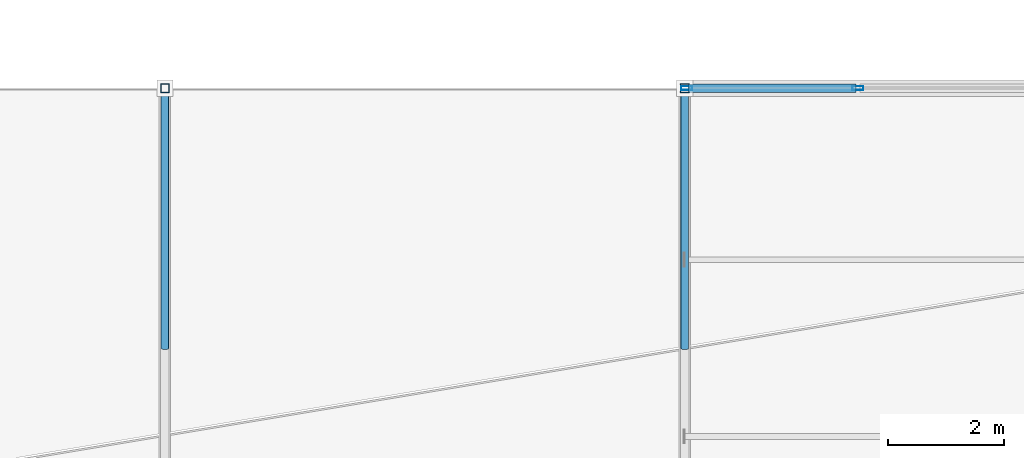
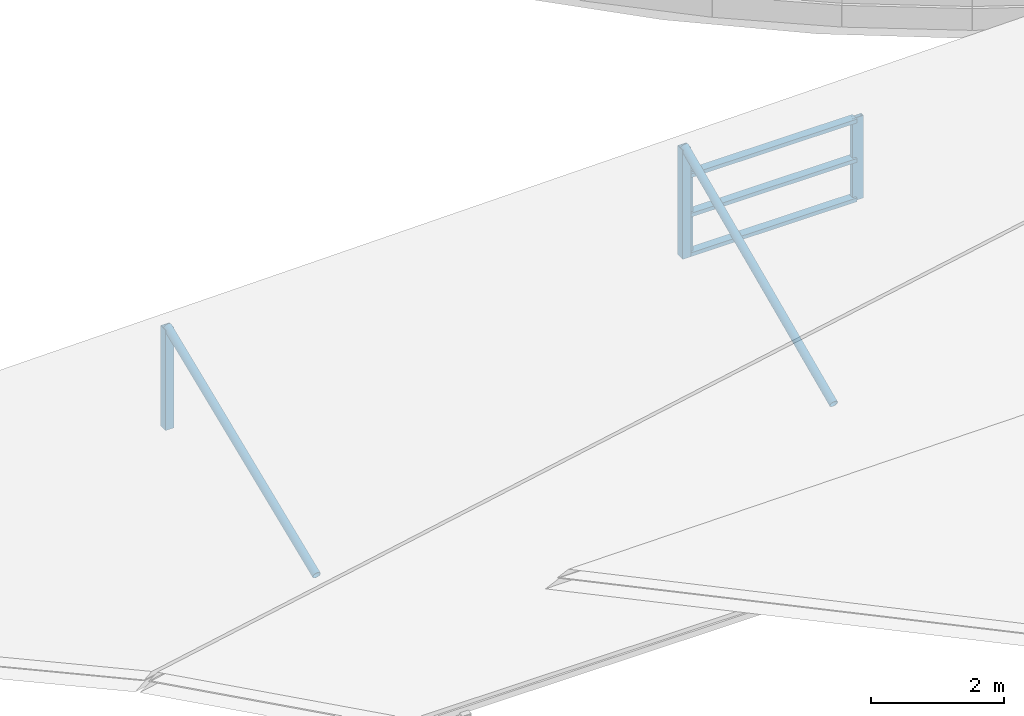
# One storey, part 28 of 103: 9 members, 1 element without a shape of its own.
"""IFC4 building model written with IfcOpenShell, lengths in metres."""

import ifcopenshell
import ifcopenshell.guid

model = None  # the IFC model being written
_history = None  # IfcOwnerHistory: only IFC2X3 demands one
_inside = {}  # id of a spatial element -> (the spatial element, [elements in it])
_under = {}  # id of a project, library or spatial element -> (it, [spatial elements below it])
_declared = {}  # id of a project -> (the project, [libraries it declares])
_typed = {}  # id of a type object -> (the type object, [elements of that type])
_made_of = {}  # id of a material, layer set ... -> (it, [elements and type objects made of it])


def new_model(schema):
    """Start an empty IFC model of exactly this schema.

    Asked for "IFC4X3", IfcOpenShell would pick the latest addendum, in which some entities
    have other attributes; the version numbers below select the first issue.
    IFC2X3 requires an IfcOwnerHistory on every rooted entity: one is made here for all.
    """
    global model, _history
    if schema == "IFC4X3":
        model = ifcopenshell.file(schema_version=(4, 3, 0, 0))
    else:
        model = ifcopenshell.file(schema=schema)
    _inside.clear()
    _under.clear()
    _declared.clear()
    _typed.clear()
    _made_of.clear()
    _history = None
    if model.schema == "IFC2X3":
        org = make("IfcOrganization", Name="unknown")
        user = make(
            "IfcPersonAndOrganization",
            ThePerson=make("IfcPerson", FamilyName="unknown"),
            TheOrganization=org,
        )
        app = make(
            "IfcApplication",
            ApplicationDeveloper=org,
            Version="unknown",
            ApplicationFullName="unknown",
            ApplicationIdentifier="unknown",
        )
        _history = make(
            "IfcOwnerHistory",
            OwningUser=user,
            OwningApplication=app,
            ChangeAction="ADDED",
            CreationDate=0,
        )
    return model


def make(cls, **values):
    """One entity of the class cls with the attributes given. An attribute that is None is left unset."""
    return model.create_entity(
        cls, **{name: value for name, value in values.items() if value is not None}
    )


def rooted(cls, **values):
    """An entity with a GlobalId (a new one), such as an element, a storey or a relation."""
    return make(cls, GlobalId=ifcopenshell.guid.new(), OwnerHistory=_history, **values)


def si_unit(unit_type, name, prefix=None):
    """IfcSIUnit, for example si_unit("LENGTHUNIT", "METRE", prefix="MILLI")."""
    return make("IfcSIUnit", UnitType=unit_type, Prefix=prefix, Name=name)


def assignment(units):
    """IfcUnitAssignment: the units of a project."""
    return None if units is None else make("IfcUnitAssignment", Units=units)


def point(xyz):
    """IfcCartesianPoint."""
    return None if xyz is None else make("IfcCartesianPoint", Coordinates=xyz)


def direction(xyz):
    """IfcDirection."""
    return None if xyz is None else make("IfcDirection", DirectionRatios=xyz)


def frame(location, z_axis=None, x_axis=None):
    """IfcAxis2Placement3D, a coordinate frame: its origin and axes. An axis left out is left unset."""
    return make(
        "IfcAxis2Placement3D",
        Location=point(location),
        Axis=direction(z_axis),
        RefDirection=direction(x_axis),
    )


def frame_2d(location, x_axis=None):
    """IfcAxis2Placement2D, a coordinate frame in the plane: its origin and x axis."""
    return make(
        "IfcAxis2Placement2D", Location=point(location), RefDirection=direction(x_axis)
    )


def origin():
    """The frame at (0, 0, 0) with its axes left unset."""
    return frame((0.0, 0.0, 0.0))


def origin_2d():
    """The frame at (0, 0) in the plane with its x axis left unset."""
    return frame_2d((0.0, 0.0))


def place(relative_to, where):
    """IfcLocalPlacement: puts the frame where relative to a parent placement (None: the world)."""
    return make(
        "IfcLocalPlacement", PlacementRelTo=relative_to, RelativePlacement=where
    )


def context(
    kind, dimensions, precision=None, world=None, true_north=None, identifier=None
):
    """IfcGeometricRepresentationContext, for example the 3D "Model" context."""
    return make(
        "IfcGeometricRepresentationContext",
        ContextIdentifier=identifier,
        ContextType=kind,
        CoordinateSpaceDimension=dimensions,
        Precision=precision,
        WorldCoordinateSystem=world,
        TrueNorth=true_north,
    )


def subcontext(parent, identifier, kind, view, scale=None):
    """IfcGeometricRepresentationSubContext, for example "Body" below "Model"."""
    return make(
        "IfcGeometricRepresentationSubContext",
        ContextIdentifier=identifier,
        ContextType=kind,
        ParentContext=parent,
        TargetScale=scale,
        TargetView=view,
    )


def project(units=None, contexts=None):
    """IfcProject with its units and contexts."""
    return rooted(
        "IfcProject",
        Name="project",
        RepresentationContexts=contexts,
        UnitsInContext=assignment(units),
    )


def spatial(cls, under=None, at=None, **own):
    """A site, building, storey or space (cls), placed at a placement, below another one or the project."""
    s = rooted(cls, ObjectPlacement=at, **own)
    if under is not None:
        _under.setdefault(under.id(), (under, []))[1].append(s)
    return s


def profile(cls, at=None, kind="AREA", **sizes):
    """A parametric profile (cls). Its sizes go by their IFC names, for example OverallWidth=200.0."""
    return make(cls, ProfileType=kind, Position=at, **sizes)


def hollow_rectangle(**sizes):
    """IfcRectangleHollowProfileDef."""
    return profile("IfcRectangleHollowProfileDef", **sizes)


def hollow_circle(**sizes):
    """IfcCircleHollowProfileDef."""
    return profile("IfcCircleHollowProfileDef", **sizes)


def extrude(swept, where, along, depth):
    """IfcExtrudedAreaSolid: the profile swept, set in the frame where, extruded along a direction by depth."""
    return make(
        "IfcExtrudedAreaSolid",
        SweptArea=swept,
        Position=where,
        ExtrudedDirection=direction(along),
        Depth=depth,
    )


def shape(context_of_items, identifier, shape_type, items):
    """IfcShapeRepresentation: the items that make up one representation, for example the "Body"."""
    return make(
        "IfcShapeRepresentation",
        ContextOfItems=context_of_items,
        RepresentationIdentifier=identifier,
        RepresentationType=shape_type,
        Items=items,
    )


def material(Name=None, Category=None):
    """IfcMaterial."""
    return make("IfcMaterial", Name=Name, Category=Category)


def layer(
    of_material, thickness, ventilated=None, Name=None, Category=None, Priority=None
):
    """IfcMaterialLayer: one layer of a wall or slab, of a material (None: an air gap)."""
    return make(
        "IfcMaterialLayer",
        Material=of_material,
        LayerThickness=thickness,
        IsVentilated=ventilated,
        Name=Name,
        Category=Category,
        Priority=Priority,
    )


def layer_set(layers, Name=None):
    """IfcMaterialLayerSet."""
    return make("IfcMaterialLayerSet", MaterialLayers=layers, LayerSetName=Name)


def material_profile(
    of_material, cross_section, Name=None, Category=None, Priority=None
):
    """IfcMaterialProfile: a cross section and its material."""
    return make(
        "IfcMaterialProfile",
        Name=Name,
        Material=of_material,
        Profile=cross_section,
        Priority=Priority,
        Category=Category,
    )


def profile_set(profiles, Name=None, composite=None):
    """IfcMaterialProfileSet."""
    return make(
        "IfcMaterialProfileSet",
        Name=Name,
        MaterialProfiles=profiles,
        CompositeProfile=composite,
    )


def made_of(thing, what):
    """Note that an element or type object is made of a material, layer set ...; save() writes the relation."""
    if what is not None:
        _made_of.setdefault(what.id(), (what, []))[1].append(thing)
    return thing


def type_object(cls, material=None, **own):
    """A type object (cls), such as IfcWallType, which elements share."""
    return made_of(rooted(cls, **own), material)


def element(
    cls,
    number,
    at=None,
    inside=None,
    cuts=None,
    type_object=None,
    material=None,
    context=None,
    identifier="Body",
    shape_type=None,
    held_by="IfcProductDefinitionShape",
    body=None,
    shapes=None,
    **own,
):
    """One element of the class cls, such as IfcWall. Its Tag is "e" and its number.

    at: its placement. inside: the storey or other place that contains it. cuts: it is an
    opening in that element (IfcRelVoidsElement). A single representation is given by context,
    identifier, shape_type and body (its items); several are given by shapes. held_by: the class
    of the entity that holds the representations. save() writes the other relations.
    """
    e = rooted(cls, Tag="e%d" % number, ObjectPlacement=at, **own)
    if body is not None:
        shapes = [shape(context, identifier, shape_type, body)]
    if shapes is not None:
        e.Representation = make(held_by, Representations=shapes)
    if inside is not None:
        _inside.setdefault(inside.id(), (inside, []))[1].append(e)
    if cuts is not None:
        rooted(
            "IfcRelVoidsElement", RelatingBuildingElement=cuts, RelatedOpeningElement=e
        )
    if type_object is not None:
        _typed.setdefault(type_object.id(), (type_object, []))[1].append(e)
    return made_of(e, material)


def aggregate(whole, parts):
    """IfcRelAggregates: a whole, such as a stair, and the parts it consists of."""
    return rooted("IfcRelAggregates", RelatingObject=whole, RelatedObjects=parts)


def save(model, path):
    """Write the relations noted so far, then the file.

    IfcRelAggregates (storeys below a building ...), IfcRelContainedInSpatialStructure (elements
    in a storey), IfcRelDefinesByType, IfcRelAssociatesMaterial and IfcRelDeclares: one each for
    every whole, place, type object, material and project.
    """
    for whole, parts in _under.values():
        aggregate(whole, parts)
    for where, things in _inside.values():
        rooted(
            "IfcRelContainedInSpatialStructure",
            RelatedElements=things,
            RelatingStructure=where,
        )
    for kind, things in _typed.values():
        rooted("IfcRelDefinesByType", RelatedObjects=things, RelatingType=kind)
    for what, things in _made_of.values():
        rooted("IfcRelAssociatesMaterial", RelatedObjects=things, RelatingMaterial=what)
    for by, libraries in _declared.values():
        rooted("IfcRelDeclares", RelatingContext=by, RelatedDefinitions=libraries)
    model.write(path)


model = new_model("IFC4")

# Units and contexts
model_context = context("Model", 3, precision=1e-05, world=origin(), true_north=direction((0.0, 1.0)))
body_context = subcontext(model_context, "Body", "Model", "MODEL_VIEW")
ifc_project = project(units=[si_unit("LENGTHUNIT", "METRE"), si_unit("AREAUNIT", "SQUARE_METRE"), si_unit("VOLUMEUNIT", "CUBIC_METRE"), si_unit("PLANEANGLEUNIT", "RADIAN"), si_unit("MASSUNIT", "GRAM", prefix="KILO")], contexts=[model_context])

# Site, building, storey
site_placement = place(None, origin())
site = spatial("IfcSite", under=ifc_project, at=site_placement, CompositionType="ELEMENT")
building_placement = place(site_placement, origin())
building = spatial("IfcBuilding", under=site, at=building_placement, Name="Deido Ridge Mobility Hub", CompositionType="ELEMENT")
storey_placement = place(building_placement, frame((0.0, 0.0, 12.60009765625)))
storey = spatial("IfcBuildingStorey", under=building, at=storey_placement, Name="L03", CompositionType="ELEMENT", Elevation=12.60009765625)

# Curtain wall, members
ifc_material_1 = material(Name="Anodised aluminium EN AW-6063 T6", Category="aluminium")
ifc_layer = layer(ifc_material_1, 0.14404296875, Name="Anodised aluminium EN AW-6063 T6")
ifc_layer_set = layer_set([ifc_layer], Name="Anodised aluminium EN AW-6063 T6")
curtain_wall_type = type_object("IfcCurtainWallType", Name="CW-GS-2", PredefinedType="USERDEFINED", material=ifc_layer_set)
curtain_wall_placement = place(storey_placement, origin())
curtain_wall = element("IfcCurtainWall", 1, at=curtain_wall_placement, inside=storey, type_object=curtain_wall_type, Name="Unitised curtain wall GS2", ObjectType="GLAZED SCREEN", PredefinedType="USERDEFINED")
ifc_material_profile_1 = material_profile(ifc_material_1, hollow_rectangle(XDim=0.070068359375, YDim=0.18994140625, WallThickness=0.00390625, at=origin_2d()), Name="RHS 70x190x4")
ifc_profile_set_1 = profile_set([ifc_material_profile_1], Name="Anodised aluminium EN AW-6063 T6")
member_type_1 = type_object("IfcMemberType", Name="MEM-MUL-70X190", PredefinedType="MULLION", material=ifc_profile_set_1)
member_1_placement = place(storey_placement, frame((27.034912109375, 81.0, 0.0), z_axis=(0.0, 0.0, 1.0), x_axis=(0.0, 1.0, 0.0)))
member_1 = element("IfcMember", 2, at=member_1_placement, type_object=member_type_1, Name="GS2 mullion 1", PredefinedType="MULLION", context=body_context, shape_type="SweptSolid", body=[
    extrude(hollow_rectangle(XDim=0.070068359375, YDim=0.18994140625, WallThickness=0.00390625, at=origin_2d()), origin(), (0.0, 0.0, 1.0), 1.52001953125),
])
member_2_placement = place(storey_placement, frame((30.0, 81.0, 0.0), z_axis=(0.0, 0.0, 1.0), x_axis=(0.0, 1.0, 0.0)))
member_2 = element("IfcMember", 3, at=member_2_placement, type_object=member_type_1, Name="GS2 mullion 2", PredefinedType="MULLION", context=body_context, shape_type="SweptSolid", body=[
    extrude(hollow_rectangle(XDim=0.070068359375, YDim=0.18994140625, WallThickness=0.00390625, at=origin_2d()), origin(), (0.0, 0.0, 1.0), 1.52001953125),
])

# Members
ifc_material_2 = material(Name="Steel S355J2H EN 10210-1", Category="steel")
ifc_material_profile_2 = material_profile(ifc_material_2, hollow_rectangle(XDim=0.14990234375, YDim=0.14990234375, WallThickness=0.008056640625, at=origin_2d()), Name="SHS 150x150x8")
ifc_profile_set_2 = profile_set([ifc_material_profile_2], Name="Steel S355J2H EN 10210-1")
member_type_2 = type_object("IfcMemberType", Name="MEM-PST-SHS150", PredefinedType="POST", material=ifc_profile_set_2)
member_3_placement = place(storey_placement, frame((18.0, 81.0, 0.0), z_axis=(0.0, 0.0, 1.0), x_axis=(1.0, 0.0, 0.0)))
element("IfcMember", 4, at=member_3_placement, inside=storey, type_object=member_type_2, Name="Sawtooth clerestory post PS1", PredefinedType="POST", context=body_context, shape_type="SweptSolid", body=[
    extrude(hollow_rectangle(XDim=0.14990234375, YDim=0.14990234375, WallThickness=0.008056640625, at=origin_2d()), origin(), (0.0, 0.0, 1.0), 1.849853515625),
])
member_4_placement = place(storey_placement, frame((27.0, 81.0, 0.0), z_axis=(0.0, 0.0, 1.0), x_axis=(1.0, 0.0, 0.0)))
element("IfcMember", 5, at=member_4_placement, inside=storey, type_object=member_type_2, Name="Sawtooth clerestory post PS1", PredefinedType="POST", context=body_context, shape_type="SweptSolid", body=[
    extrude(hollow_rectangle(XDim=0.14990234375, YDim=0.14990234375, WallThickness=0.008056640625, at=origin_2d()), origin(), (0.0, 0.0, 1.0), 2.010009765625),
])
ifc_material_profile_3 = material_profile(ifc_material_2, hollow_circle(Radius=0.06982421875, WallThickness=0.00634765625, at=origin_2d()), Name="CHS 139.7x6.3")
ifc_profile_set_3 = profile_set([ifc_material_profile_3], Name="Steel S355J2H EN 10210-1")
member_type_3 = type_object("IfcMemberType", Name="MEM-STR-CHS140", PredefinedType="STRUT", material=ifc_profile_set_3)
member_5_placement = place(storey_placement, frame((18.0, 76.5, 0.0), z_axis=(0.0, 0.924901369922, 0.38020712239), x_axis=(-1.0, 0.0, 0.0)))
element("IfcMember", 6, at=member_5_placement, inside=storey, type_object=member_type_3, Name="Sawtooth web strut SR2", PredefinedType="STRUT", context=body_context, shape_type="SweptSolid", body=[
    extrude(hollow_circle(Radius=0.06982421875, WallThickness=0.00634765625, at=origin_2d()), origin(), (0.0, 0.0, 1.0), 4.865478515625),
])
member_6_placement = place(storey_placement, frame((27.0, 76.5, 0.0), z_axis=(0.0, 0.913056203358, 0.407833752292), x_axis=(-1.0, 0.0, 0.0)))
element("IfcMember", 7, at=member_6_placement, inside=storey, type_object=member_type_3, Name="Sawtooth web strut SR2", PredefinedType="STRUT", context=body_context, shape_type="SweptSolid", body=[
    extrude(hollow_circle(Radius=0.06982421875, WallThickness=0.00634765625, at=origin_2d()), origin(), (0.0, 0.0, 1.0), 4.928466796875),
])

# Member
ifc_material_profile_4 = material_profile(ifc_material_1, hollow_rectangle(XDim=0.14501953125, YDim=0.070068359375, WallThickness=0.00390625, at=origin_2d()), Name="RHS 145x70x4")
ifc_profile_set_4 = profile_set([ifc_material_profile_4], Name="Anodised aluminium EN AW-6063 T6")
member_type_4 = type_object("IfcMemberType", Name="MEM-TRN-145X70", PredefinedType="USERDEFINED", material=ifc_profile_set_4)
member_7_placement = place(storey_placement, frame((27.070068359375, 81.0, 0.034912109375), z_axis=(1.0, 0.0, 0.0), x_axis=(0.0, 1.0, 0.0)))
member_7 = element("IfcMember", 8, at=member_7_placement, type_object=member_type_4, Name="GS2 transom 1.1", ObjectType="TRANSOM", PredefinedType="USERDEFINED", context=body_context, shape_type="SweptSolid", body=[
    extrude(hollow_rectangle(XDim=0.14501953125, YDim=0.070068359375, WallThickness=0.00390625, at=origin_2d()), origin(), (0.0, 0.0, 1.0), 2.89501953125),
])

member_8_placement = place(storey_placement, frame((27.070068359375, 81.0, 0.760009765625), z_axis=(1.0, 0.0, 0.0), x_axis=(0.0, 1.0, 0.0)))
member_8 = element("IfcMember", 9, at=member_8_placement, type_object=member_type_4, Name="GS2 transom 1.2", ObjectType="TRANSOM", PredefinedType="USERDEFINED", context=body_context, shape_type="SweptSolid", body=[
    extrude(hollow_rectangle(XDim=0.14501953125, YDim=0.070068359375, WallThickness=0.00390625, at=origin_2d()), origin(), (0.0, 0.0, 1.0), 2.89501953125),
])

member_9_placement = place(storey_placement, frame((27.070068359375, 81.0, 1.48486328125), z_axis=(1.0, 0.0, 0.0), x_axis=(0.0, 1.0, 0.0)))
member_9 = element("IfcMember", 10, at=member_9_placement, type_object=member_type_4, Name="GS2 transom 1.3", ObjectType="TRANSOM", PredefinedType="USERDEFINED", context=body_context, shape_type="SweptSolid", body=[
    extrude(hollow_rectangle(XDim=0.14501953125, YDim=0.070068359375, WallThickness=0.00390625, at=origin_2d()), origin(), (0.0, 0.0, 1.0), 2.89501953125),
])

aggregate(curtain_wall, [member_1, member_2, member_7, member_8, member_9])

save(model, "model.ifc")
